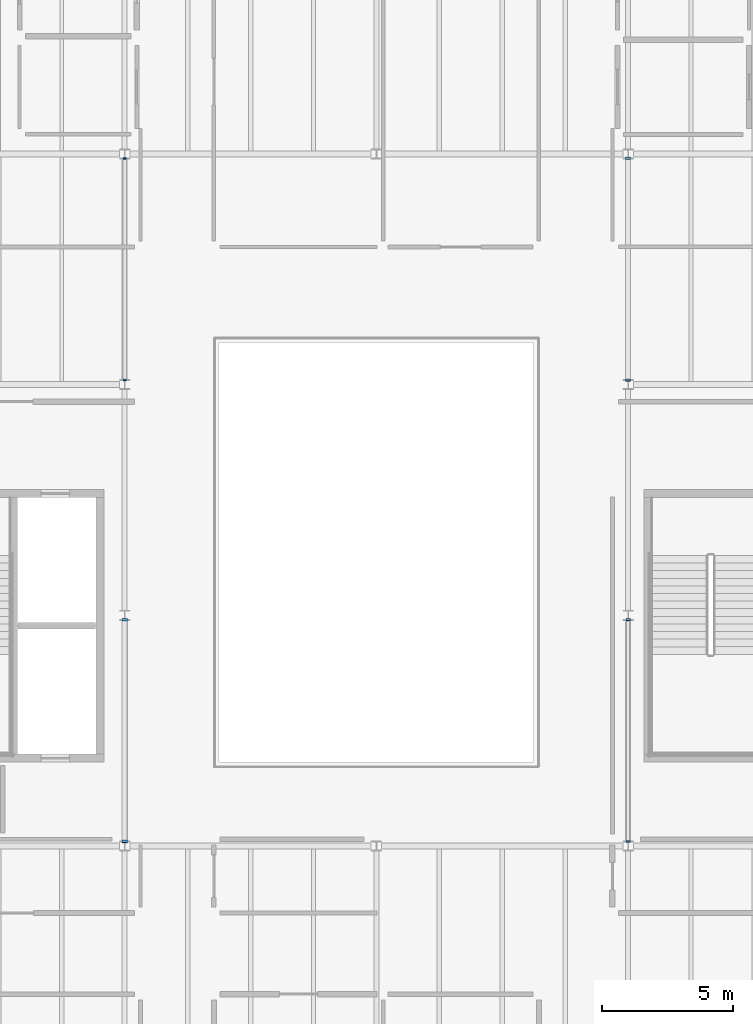
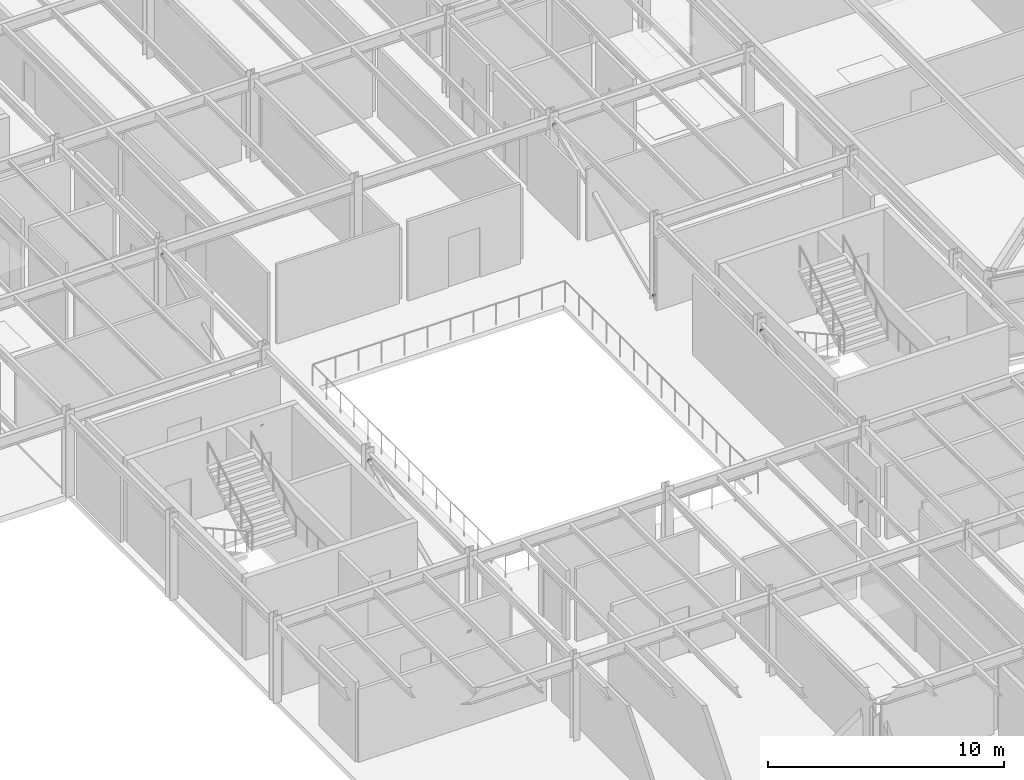
# One storey, part 53 of 77: 8 plates.
"""IFC4 building model written with IfcOpenShell, lengths in metres."""

from ifc_helpers import new_model, si_unit, direction, frame, origin, origin_2d, place, context, subcontext, project, spatial, rectangle, extrude, material, layer, layer_set, type_object, element, save


model = new_model("IFC4")

# Units and contexts
model_context = context("Model", 3, precision=1e-05, world=origin(), true_north=direction((0.0, 1.0)))
body_context = subcontext(model_context, "Body", "Model", "MODEL_VIEW")
ifc_project = project(units=[si_unit("LENGTHUNIT", "METRE"), si_unit("AREAUNIT", "SQUARE_METRE"), si_unit("VOLUMEUNIT", "CUBIC_METRE"), si_unit("PLANEANGLEUNIT", "RADIAN"), si_unit("MASSUNIT", "GRAM", prefix="KILO")], contexts=[model_context])

# Site, building, storey
site_placement = place(None, origin())
site = spatial("IfcSite", under=ifc_project, at=site_placement, CompositionType="ELEMENT")
building_placement = place(site_placement, origin())
building = spatial("IfcBuilding", under=site, at=building_placement, Name="Sarnbrook Museum", CompositionType="ELEMENT")
storey_placement = place(building_placement, frame((0.0, 0.0, 5.60009765625)))
storey = spatial("IfcBuildingStorey", under=building, at=storey_placement, Name="L01", CompositionType="ELEMENT", Elevation=5.60009765625)

# Plates
ifc_material = material(Name="Structural Steel Grade 350L0 (AS/NZS 3678, fy = 340 MPa for 20 < t <= 40 mm)", Category="steel")
ifc_layer_1 = layer(ifc_material, 0.01611328125)
ifc_layer_set_1 = layer_set([ifc_layer_1], Name="Structural Steel Grade 350L0 (AS/NZS 3678, fy = 340 MPa for 20 < t <= 40 mm)")
plate_type_1 = type_object("IfcPlateType", Name="EndCapPlate_CAP125", PredefinedType="USERDEFINED", material=ifc_layer_set_1)
for number, where, z_axis, x_axis, name in (
    (1, (90.39990234375, 74.5654296875, 0.113525390625), (0.0, 0.914658650878, 0.404227104946), (-1.0, 0.0, 0.0), "Hollow End Cap Plate CBF:3:L01-1"),
    (2, (90.39990234375, 83.02001953125, 3.849853515625), (0.0, 0.914658650878, 0.404227104946), (-1.0, 0.0, 0.0), "Hollow End Cap Plate CBF:3:L01-2"),
):
    element("IfcPlate", number, at=place(storey_placement, frame(where, z_axis=z_axis, x_axis=x_axis)), inside=storey, type_object=plate_type_1, Name=name, ObjectType="END CAP PLATE", PredefinedType="USERDEFINED", context=body_context, shape_type="SweptSolid", body=[
        extrude(rectangle(XDim=0.125, YDim=0.125, at=origin_2d()), origin(), (0.0, 0.0, 1.0), 0.01611328125),
    ])
ifc_layer_2 = layer(ifc_material, 0.01611328125)
ifc_layer_set_2 = layer_set([ifc_layer_2], Name="Structural Steel Grade 350L0 (AS/NZS 3678, fy = 340 MPa for 20 < t <= 40 mm)")
plate_type_2 = type_object("IfcPlateType", Name="EndCapPlate_CAP168", PredefinedType="USERDEFINED", material=ifc_layer_set_2)
for number, where, z_axis, x_axis, name in (
    (3, (109.60009765625, 56.96533203125, 0.113525390625), (0.0, 0.914658650878, 0.404227104946), (-1.0, 0.0, 0.0), "Hollow End Cap Plate CBF:2:L01-1"),
    (4, (109.60009765625, 65.419921875, 3.849853515625), (0.0, 0.914658650878, 0.404227104946), (-1.0, 0.0, 0.0), "Hollow End Cap Plate CBF:2:L01-2"),
):
    element("IfcPlate", number, at=place(storey_placement, frame(where, z_axis=z_axis, x_axis=x_axis)), inside=storey, type_object=plate_type_2, Name=name, ObjectType="END CAP PLATE", PredefinedType="USERDEFINED", context=body_context, shape_type="SweptSolid", body=[
        extrude(rectangle(XDim=0.175048828125, YDim=0.175048828125, at=origin_2d()), origin(), (0.0, 0.0, 1.0), 0.01611328125),
    ])
ifc_layer_3 = layer(ifc_material, 0.01611328125)
ifc_layer_set_3 = layer_set([ifc_layer_3], Name="Structural Steel Grade 350L0 (AS/NZS 3678, fy = 340 MPa for 20 < t <= 40 mm)")
plate_type_3 = type_object("IfcPlateType", Name="EndCapPlate_CAP200", PredefinedType="USERDEFINED", material=ifc_layer_set_3)
for number, where, z_axis, x_axis, name in (
    (5, (109.60009765625, 74.5654296875, 0.113525390625), (0.0, 0.914658650878, 0.404227104946), (-1.0, 0.0, 0.0), "Hollow End Cap Plate CBF:4:L01-1"),
    (6, (109.60009765625, 83.02001953125, 3.849853515625), (0.0, 0.914658650878, 0.404227104946), (-1.0, 0.0, 0.0), "Hollow End Cap Plate CBF:4:L01-2"),
):
    element("IfcPlate", number, at=place(storey_placement, frame(where, z_axis=z_axis, x_axis=x_axis)), inside=storey, type_object=plate_type_3, Name=name, ObjectType="END CAP PLATE", PredefinedType="USERDEFINED", context=body_context, shape_type="SweptSolid", body=[
        extrude(rectangle(XDim=0.199951171875, YDim=0.199951171875, at=origin_2d()), origin(), (0.0, 0.0, 1.0), 0.01611328125),
    ])
ifc_layer_4 = layer(ifc_material, 0.01611328125)
ifc_layer_set_4 = layer_set([ifc_layer_4], Name="Structural Steel Grade 350L0 (AS/NZS 3678, fy = 340 MPa for 20 < t <= 40 mm)")
plate_type_4 = type_object("IfcPlateType", Name="EndCapPlate_CAP219", PredefinedType="USERDEFINED", material=ifc_layer_set_4)
for number, where, z_axis, x_axis, name in (
    (7, (90.39990234375, 56.96533203125, 0.113525390625), (0.0, 0.914658650878, 0.404227104946), (-1.0, 0.0, 0.0), "Hollow End Cap Plate CBF:1:L01-1"),
    (8, (90.39990234375, 65.419921875, 3.849853515625), (0.0, 0.914658650878, 0.404227104946), (-1.0, 0.0, 0.0), "Hollow End Cap Plate CBF:1:L01-2"),
):
    element("IfcPlate", number, at=place(storey_placement, frame(where, z_axis=z_axis, x_axis=x_axis)), inside=storey, type_object=plate_type_4, Name=name, ObjectType="END CAP PLATE", PredefinedType="USERDEFINED", context=body_context, shape_type="SweptSolid", body=[
        extrude(rectangle(XDim=0.22509765625, YDim=0.22509765625, at=origin_2d()), origin(), (0.0, 0.0, 1.0), 0.01611328125),
    ])

save(model, "model.ifc")
